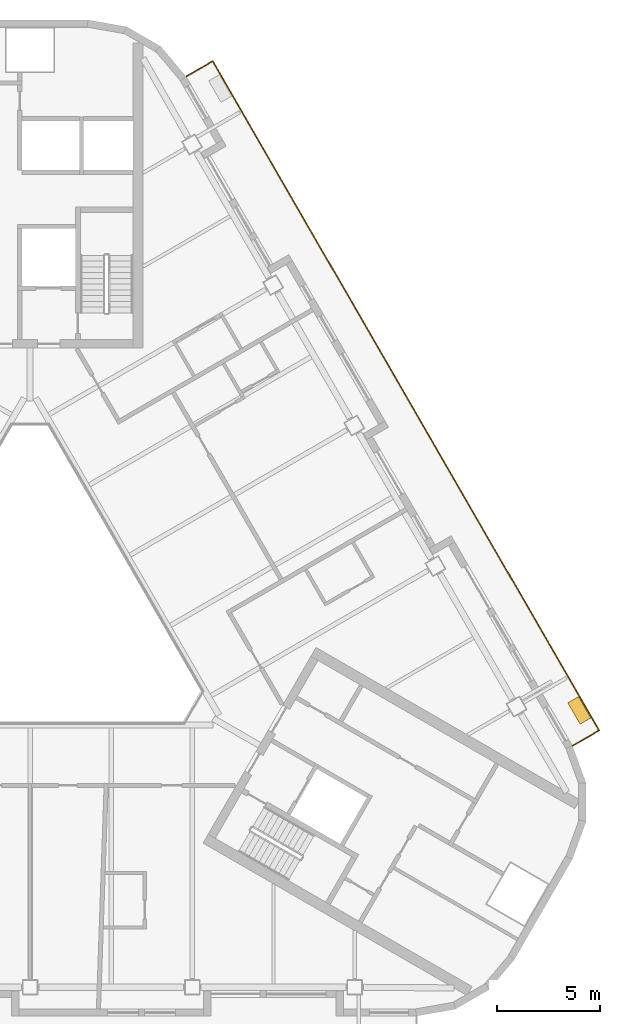
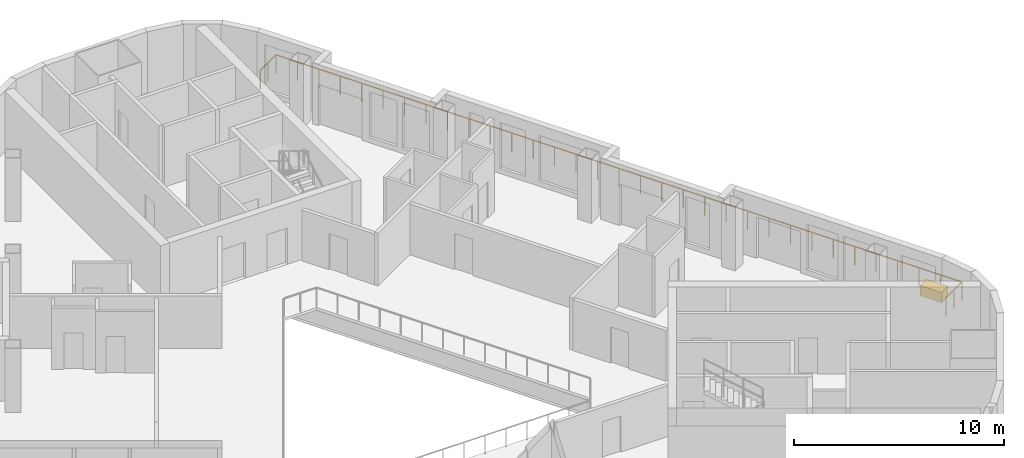
# One storey, part 12 of 13: 1 covering, 1 railing.
"""IFC4 building model written with IfcOpenShell, lengths in metres."""

from ifc_helpers import new_model, si_unit, direction, frame, origin, origin_2d, place, context, subcontext, project, spatial, rectangle, extrude, material, type_object, element, save


model = new_model("IFC4")

# Units and contexts
model_context = context("Model", 3, precision=1e-05, world=origin(), true_north=direction((0.0, 1.0)))
body_context = subcontext(model_context, "Body", "Model", "MODEL_VIEW")
ifc_project = project(units=[si_unit("LENGTHUNIT", "METRE"), si_unit("AREAUNIT", "SQUARE_METRE"), si_unit("VOLUMEUNIT", "CUBIC_METRE"), si_unit("PLANEANGLEUNIT", "RADIAN"), si_unit("MASSUNIT", "GRAM", prefix="KILO")], contexts=[model_context])

# Site, building, storey
site_placement = place(None, origin())
site = spatial("IfcSite", under=ifc_project, at=site_placement, CompositionType="ELEMENT")
building_placement = place(site_placement, origin())
building = spatial("IfcBuilding", under=site, at=building_placement, Name="Apuvela Tower Hotel", CompositionType="ELEMENT")
storey_placement = place(building_placement, frame((0.0, 0.0, 187.300048828125)))
storey = spatial("IfcBuildingStorey", under=building, at=storey_placement, Name="L45", CompositionType="ELEMENT", Elevation=187.300048828125)

# Railing
ifc_material_1 = material(Name="Stainless steel 316 rail with laminated glass infill", Category="steel")
railing_type = type_object("IfcRailingType", Name="ENV-GUARD-1100", PredefinedType="GUARDRAIL", material=ifc_material_1)
railing_placement = place(storey_placement, frame((26.407958984375, -6.47998046875, 0.0)))
element("IfcRailing", 1, at=railing_placement, inside=storey, type_object=railing_type, Name="Balcony guard NE L45", PredefinedType="GUARDRAIL", context=body_context, shape_type="SweptSolid", body=[
    extrude(rectangle(XDim=0.050048828125, YDim=0.050048828125, at=origin_2d()), frame((0.0, 0.0, 1.0751953125), z_axis=(0.866031096941, 0.499990139034, 0.0), x_axis=(-0.499990139034, 0.866031096941, 0.0)), (0.0, 0.0, 1.0), 1.5),
    extrude(rectangle(XDim=0.050048828125, YDim=0.050048828125, at=origin_2d()), frame((1.299072265625, 0.75, 1.0751953125), z_axis=(-0.500000437506, 0.86602515119, 0.0), x_axis=(-0.86602515119, -0.500000437506, 0.0)), (0.0, 0.0, 1.0), 37.6318359375),
    extrude(rectangle(XDim=0.050048828125, YDim=0.050048828125, at=origin_2d()), frame((-17.516845703125, 33.340087890625, 1.0751953125), z_axis=(-0.86599040064, -0.500060622324, 0.0), x_axis=(0.500060622324, -0.86599040064, 0.0)), (0.0, 0.0, 1.0), 1.499755859375),
    extrude(rectangle(XDim=0.0400390625, YDim=0.0400390625, at=origin_2d()), origin(), (0.0, 0.0, 1.0), 1.050048828125),
    extrude(rectangle(XDim=0.0400390625, YDim=0.0400390625, at=origin_2d()), frame((0.6494140625, 0.375, 0.0)), (0.0, 0.0, 1.0), 1.050048828125),
    extrude(rectangle(XDim=0.0400390625, YDim=0.0400390625, at=origin_2d()), frame((1.299072265625, 0.75, 0.0)), (0.0, 0.0, 1.0), 1.050048828125),
    extrude(rectangle(XDim=0.0400390625, YDim=0.0400390625, at=origin_2d()), frame((0.711181640625, 1.7685546875, 0.0)), (0.0, 0.0, 1.0), 1.050048828125),
    extrude(rectangle(XDim=0.0400390625, YDim=0.0400390625, at=origin_2d()), frame((0.123046875, 2.786865234375, 0.0)), (0.0, 0.0, 1.0), 1.050048828125),
    extrude(rectangle(XDim=0.0400390625, YDim=0.0400390625, at=origin_2d()), frame((-0.46484375, 3.805419921875, 0.0)), (0.0, 0.0, 1.0), 1.050048828125),
    extrude(rectangle(XDim=0.0400390625, YDim=0.0400390625, at=origin_2d()), frame((-1.052978515625, 4.82373046875, 0.0)), (0.0, 0.0, 1.0), 1.050048828125),
    extrude(rectangle(XDim=0.0400390625, YDim=0.0400390625, at=origin_2d()), frame((-1.640869140625, 5.84228515625, 0.0)), (0.0, 0.0, 1.0), 1.050048828125),
    extrude(rectangle(XDim=0.0400390625, YDim=0.0400390625, at=origin_2d()), frame((-2.22900390625, 6.860595703125, 0.0)), (0.0, 0.0, 1.0), 1.050048828125),
    extrude(rectangle(XDim=0.0400390625, YDim=0.0400390625, at=origin_2d()), frame((-2.81689453125, 7.879150390625, 0.0)), (0.0, 0.0, 1.0), 1.050048828125),
    extrude(rectangle(XDim=0.0400390625, YDim=0.0400390625, at=origin_2d()), frame((-3.40478515625, 8.8974609375, 0.0)), (0.0, 0.0, 1.0), 1.050048828125),
    extrude(rectangle(XDim=0.0400390625, YDim=0.0400390625, at=origin_2d()), frame((-3.992919921875, 9.916015625, 0.0)), (0.0, 0.0, 1.0), 1.050048828125),
    extrude(rectangle(XDim=0.0400390625, YDim=0.0400390625, at=origin_2d()), frame((-4.580810546875, 10.934326171875, 0.0)), (0.0, 0.0, 1.0), 1.050048828125),
    extrude(rectangle(XDim=0.0400390625, YDim=0.0400390625, at=origin_2d()), frame((-5.1689453125, 11.952880859375, 0.0)), (0.0, 0.0, 1.0), 1.050048828125),
    extrude(rectangle(XDim=0.0400390625, YDim=0.0400390625, at=origin_2d()), frame((-5.7568359375, 12.97119140625, 0.0)), (0.0, 0.0, 1.0), 1.050048828125),
    extrude(rectangle(XDim=0.0400390625, YDim=0.0400390625, at=origin_2d()), frame((-6.344970703125, 13.98974609375, 0.0)), (0.0, 0.0, 1.0), 1.050048828125),
    extrude(rectangle(XDim=0.0400390625, YDim=0.0400390625, at=origin_2d()), frame((-6.932861328125, 15.008056640625, 0.0)), (0.0, 0.0, 1.0), 1.050048828125),
    extrude(rectangle(XDim=0.0400390625, YDim=0.0400390625, at=origin_2d()), frame((-7.52099609375, 16.026611328125, 0.0)), (0.0, 0.0, 1.0), 1.050048828125),
    extrude(rectangle(XDim=0.0400390625, YDim=0.0400390625, at=origin_2d()), frame((-8.10888671875, 17.044921875, 0.0)), (0.0, 0.0, 1.0), 1.050048828125),
    extrude(rectangle(XDim=0.0400390625, YDim=0.0400390625, at=origin_2d()), frame((-8.69677734375, 18.0634765625, 0.0)), (0.0, 0.0, 1.0), 1.050048828125),
    extrude(rectangle(XDim=0.0400390625, YDim=0.0400390625, at=origin_2d()), frame((-9.284912109375, 19.08203125, 0.0)), (0.0, 0.0, 1.0), 1.050048828125),
    extrude(rectangle(XDim=0.0400390625, YDim=0.0400390625, at=origin_2d()), frame((-9.872802734375, 20.100341796875, 0.0)), (0.0, 0.0, 1.0), 1.050048828125),
    extrude(rectangle(XDim=0.0400390625, YDim=0.0400390625, at=origin_2d()), frame((-10.4609375, 21.118896484375, 0.0)), (0.0, 0.0, 1.0), 1.050048828125),
    extrude(rectangle(XDim=0.0400390625, YDim=0.0400390625, at=origin_2d()), frame((-11.048828125, 22.13720703125, 0.0)), (0.0, 0.0, 1.0), 1.050048828125),
    extrude(rectangle(XDim=0.0400390625, YDim=0.0400390625, at=origin_2d()), frame((-11.636962890625, 23.15576171875, 0.0)), (0.0, 0.0, 1.0), 1.050048828125),
    extrude(rectangle(XDim=0.0400390625, YDim=0.0400390625, at=origin_2d()), frame((-12.224853515625, 24.174072265625, 0.0)), (0.0, 0.0, 1.0), 1.050048828125),
    extrude(rectangle(XDim=0.0400390625, YDim=0.0400390625, at=origin_2d()), frame((-12.81298828125, 25.192626953125, 0.0)), (0.0, 0.0, 1.0), 1.050048828125),
    extrude(rectangle(XDim=0.0400390625, YDim=0.0400390625, at=origin_2d()), frame((-13.40087890625, 26.2109375, 0.0)), (0.0, 0.0, 1.0), 1.050048828125),
    extrude(rectangle(XDim=0.0400390625, YDim=0.0400390625, at=origin_2d()), frame((-13.98876953125, 27.2294921875, 0.0)), (0.0, 0.0, 1.0), 1.050048828125),
    extrude(rectangle(XDim=0.0400390625, YDim=0.0400390625, at=origin_2d()), frame((-14.576904296875, 28.247802734375, 0.0)), (0.0, 0.0, 1.0), 1.050048828125),
    extrude(rectangle(XDim=0.0400390625, YDim=0.0400390625, at=origin_2d()), frame((-15.164794921875, 29.266357421875, 0.0)), (0.0, 0.0, 1.0), 1.050048828125),
    extrude(rectangle(XDim=0.0400390625, YDim=0.0400390625, at=origin_2d()), frame((-15.7529296875, 30.28466796875, 0.0)), (0.0, 0.0, 1.0), 1.050048828125),
    extrude(rectangle(XDim=0.0400390625, YDim=0.0400390625, at=origin_2d()), frame((-16.3408203125, 31.30322265625, 0.0)), (0.0, 0.0, 1.0), 1.050048828125),
    extrude(rectangle(XDim=0.0400390625, YDim=0.0400390625, at=origin_2d()), frame((-16.928955078125, 32.321533203125, 0.0)), (0.0, 0.0, 1.0), 1.050048828125),
    extrude(rectangle(XDim=0.0400390625, YDim=0.0400390625, at=origin_2d()), frame((-17.516845703125, 33.340087890625, 0.0)), (0.0, 0.0, 1.0), 1.050048828125),
    extrude(rectangle(XDim=0.0400390625, YDim=0.0400390625, at=origin_2d()), frame((-18.166259765625, 32.965087890625, 0.0)), (0.0, 0.0, 1.0), 1.050048828125),
    extrude(rectangle(XDim=0.0400390625, YDim=0.0400390625, at=origin_2d()), frame((-18.815673828125, 32.590087890625, 0.0)), (0.0, 0.0, 1.0), 1.050048828125),
])

# Covering
ifc_material_2 = material(Name="Planting substrate and soil, planted")
covering_type = type_object("IfcCoveringType", Name="ENV-PLANTER-1200x600", PredefinedType="USERDEFINED", material=ifc_material_2)
covering_placement = place(storey_placement, frame((26.739013671875, -4.753173828125, 0.0), z_axis=(0.0, 0.0, 1.0), x_axis=(-0.5, 0.866025403784, 0.0)))
element("IfcCovering", 2, at=covering_placement, inside=storey, type_object=covering_type, Name="Planter NE2", ObjectType="PLANTER", PredefinedType="USERDEFINED", context=body_context, shape_type="SweptSolid", body=[
    extrude(rectangle(XDim=1.199951171875, YDim=0.60009765625, at=origin_2d()), origin(), (0.0, 0.0, 1.0), 0.60009765625),
])

save(model, "model.ifc")
